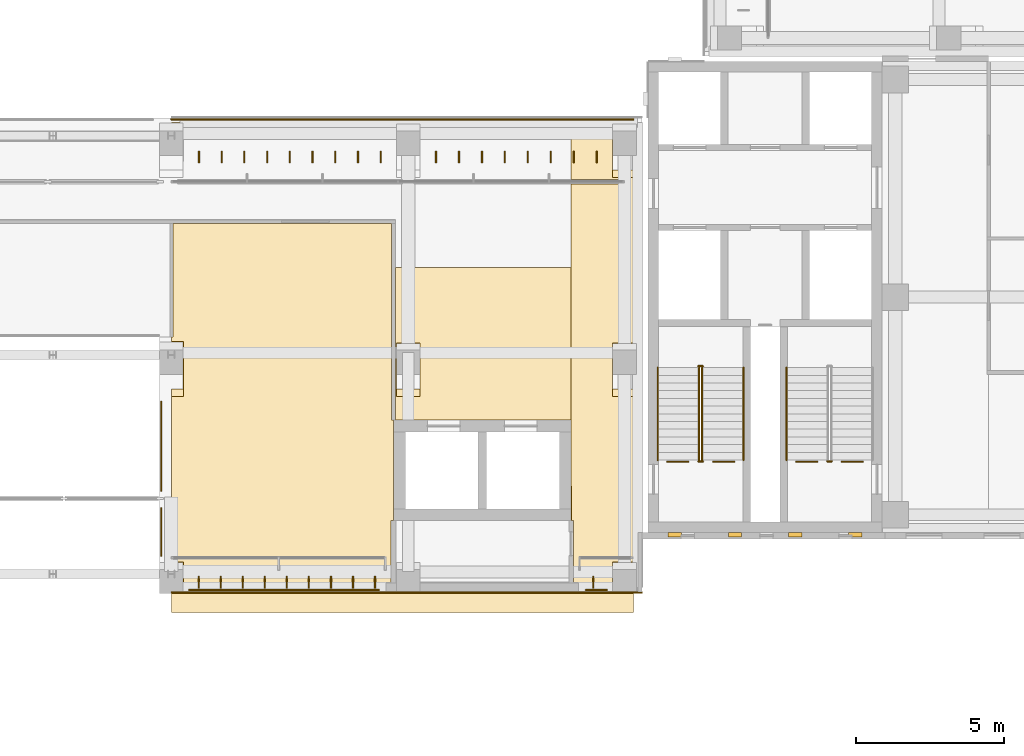
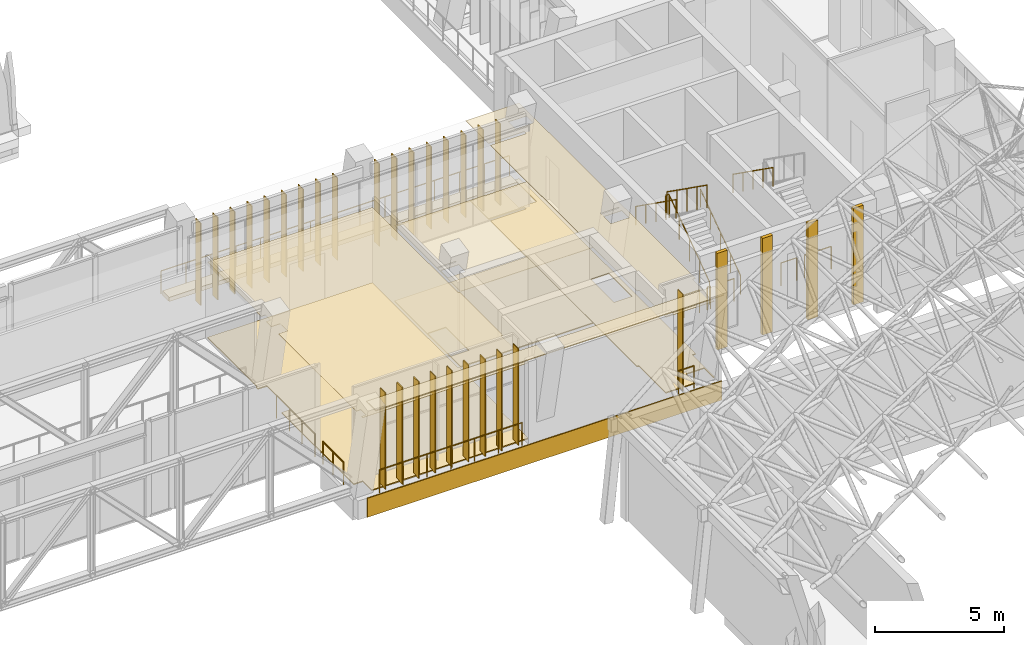
# One storey, part 125 of 141: 27 shading devices, 17 railings, 13 coverings.
"""IFC4 building model written with IfcOpenShell, lengths in metres."""

from ifc_helpers import new_model, si_unit, direction, frame, frame_2d, origin, origin_2d, place, context, subcontext, project, spatial, polyline, rectangle, circle, outline, extrude, material, layer, layer_set, type_object, element, save


model = new_model("IFC4")

# Units and contexts
model_context = context("Model", 3, precision=1e-05, world=origin(), true_north=direction((0.0, 1.0)))
body_context = subcontext(model_context, "Body", "Model", "MODEL_VIEW")
ifc_project = project(units=[si_unit("LENGTHUNIT", "METRE"), si_unit("AREAUNIT", "SQUARE_METRE"), si_unit("VOLUMEUNIT", "CUBIC_METRE"), si_unit("PLANEANGLEUNIT", "RADIAN"), si_unit("MASSUNIT", "GRAM", prefix="KILO")], contexts=[model_context])

# Site, building, storey
site_placement = place(None, origin())
site = spatial("IfcSite", under=ifc_project, at=site_placement, CompositionType="ELEMENT")
building_placement = place(site_placement, origin())
building = spatial("IfcBuilding", under=site, at=building_placement, Name="Lantern Court Media Centre", CompositionType="ELEMENT")
storey_placement = place(building_placement, frame((0.0, 0.0, 9.60009765625)))
storey = spatial("IfcBuildingStorey", under=building, at=storey_placement, Name="L02", CompositionType="ELEMENT", Elevation=9.60009765625)

# Covering
ifc_material_1 = material(Name="Carpet")
ifc_layer_1 = layer(ifc_material_1, 0.050048828125)
ifc_layer_set_1 = layer_set([ifc_layer_1], Name="Carpet")
covering_type_1 = type_object("IfcCoveringType", Name="Carpet floor finish", PredefinedType="FLOORING", material=ifc_layer_set_1)
covering_1_placement = place(storey_placement, origin())
element("IfcCovering", 1, at=covering_1_placement, inside=storey, type_object=covering_type_1, Name="Digital Media Lab floor finish", PredefinedType="FLOORING", context=body_context, shape_type="SweptSolid", body=[
    extrude(outline(polyline([(64.0, 54.594970703125), (64.054931640625, 54.60009765625), (64.054931640625, 58.4326171875), (71.4326171875, 58.4326171875), (71.4326171875, 51.800048828125), (71.4951171875, 51.794921875), (71.4951171875, 48.405029296875), (71.4150390625, 48.39990234375), (71.4150390625, 46.304931640625), (64.405029296875, 46.300048828125), (64.404296875, 47.00244140625), (64.0, 47.0048828125), (64.0, 52.594970703125), (64.40478515625, 52.59912109375), (64.405029296875, 54.44580078125), (64.0, 54.45068359375), (64.0, 54.594970703125)])), origin(), (0.0, 0.0, 1.0), 0.0498046875),
])

# Railings
ifc_material_2 = material(Name="Powder-coated steel", Category="steel")
railing_type_1 = type_object("IfcRailingType", Name="Floor edge guard 1100", PredefinedType="GUARDRAIL", material=ifc_material_2)
railing_1_placement = place(storey_placement, frame((87.35009765625, 50.390380859375, 0.0)))
element("IfcRailing", 2, at=railing_1_placement, inside=storey, type_object=railing_type_1, Name="L02 opening guard 67", PredefinedType="GUARDRAIL", context=body_context, shape_type="SweptSolid", body=[
    extrude(circle(Radius=0.02392578125, at=origin_2d()), frame((0.0, 0.0, 1.076171875), z_axis=(-1.0, 0.0, 0.0), x_axis=(0.0, -1.0, 0.0)), (0.0, 0.0, 1.0), 0.703857421875),
    extrude(circle(Radius=0.02099609375, at=origin_2d()), origin(), (0.0, 0.0, 1.0), 1.052001953125),
    extrude(circle(Radius=0.02099609375, at=origin_2d()), frame((-0.703857421875, 0.0, 0.0)), (0.0, 0.0, 1.0), 1.052001953125),
])
for number, where, name in (
    (3, (85.8037109375, 50.390380859375, 0.0), "L02 opening guard 68"),
    (4, (83.0, 50.390380859375, 0.0), "L02 opening guard 69"),
    (5, (81.45361328125, 50.390380859375, 0.0), "L02 opening guard 70"),
):
    element("IfcRailing", number, at=place(storey_placement, frame(where)), inside=storey, type_object=railing_type_1, Name=name, PredefinedType="GUARDRAIL", context=body_context, shape_type="SweptSolid", body=[
        extrude(circle(Radius=0.02392578125, at=origin_2d()), frame((0.0, 0.0, 1.076171875), z_axis=(-1.0, 0.0, 0.0), x_axis=(0.0, -1.0, 0.0)), (0.0, 0.0, 1.0), 0.70361328125),
        extrude(circle(Radius=0.02099609375, at=origin_2d()), origin(), (0.0, 0.0, 1.0), 1.052001953125),
        extrude(circle(Radius=0.02099609375, at=origin_2d()), frame((-0.70361328125, 0.0, 0.0)), (0.0, 0.0, 1.0), 1.052001953125),
    ])
railing_2_placement = place(storey_placement, frame((63.659912109375, 49.4130859375, 0.0)))
element("IfcRailing", 6, at=railing_2_placement, inside=storey, type_object=railing_type_1, Name="L02 edge guard 52", PredefinedType="GUARDRAIL", context=body_context, shape_type="SweptSolid", body=[
    extrude(circle(Radius=0.02392578125, at=origin_2d()), frame((0.0, 0.0, 1.076171875), z_axis=(0.0, 1.0, 0.0), x_axis=(-1.0, 0.0, 0.0)), (0.0, 0.0, 1.0), 3.0),
    extrude(circle(Radius=0.02099609375, at=origin_2d()), origin(), (0.0, 0.0, 1.0), 1.052001953125),
    extrude(circle(Radius=0.02099609375, at=origin_2d()), frame((0.0, 1.0, 0.0)), (0.0, 0.0, 1.0), 1.052001953125),
    extrude(circle(Radius=0.02099609375, at=origin_2d()), frame((0.0, 2.0, 0.0)), (0.0, 0.0, 1.0), 1.052001953125),
    extrude(circle(Radius=0.02099609375, at=origin_2d()), frame((0.0, 3.0, 0.0)), (0.0, 0.0, 1.0), 1.052001953125),
])
railing_3_placement = place(storey_placement, frame((63.659912109375, 47.214111328125, 0.0)))
element("IfcRailing", 7, at=railing_3_placement, inside=storey, type_object=railing_type_1, Name="L02 edge guard 53", PredefinedType="GUARDRAIL", context=body_context, shape_type="SweptSolid", body=[
    extrude(circle(Radius=0.02392578125, at=origin_2d()), frame((0.0, 0.0, 1.076171875), z_axis=(0.0, 1.0, 0.0), x_axis=(-1.0, 0.0, 0.0)), (0.0, 0.0, 1.0), 1.599853515625),
    extrude(circle(Radius=0.02099609375, at=origin_2d()), origin(), (0.0, 0.0, 1.0), 1.052001953125),
    extrude(circle(Radius=0.02099609375, at=origin_2d()), frame((0.0, 0.7998046875, 0.0)), (0.0, 0.0, 1.0), 1.052001953125),
    extrude(circle(Radius=0.02099609375, at=origin_2d()), frame((0.0, 1.599853515625, 0.0)), (0.0, 0.0, 1.0), 1.052001953125),
])
railing_4_placement = place(storey_placement, frame((71.00390625, 46.06005859375, 0.0)))
element("IfcRailing", 8, at=railing_4_placement, inside=storey, type_object=railing_type_1, Name="L02 edge guard 54", PredefinedType="GUARDRAIL", context=body_context, shape_type="SweptSolid", body=[
    extrude(circle(Radius=0.02392578125, at=origin_2d()), frame((0.0, 0.0, 1.076171875), z_axis=(-1.0, 0.0, 0.0), x_axis=(0.0, -1.0, 0.0)), (0.0, 0.0, 1.0), 6.39794921875),
    extrude(circle(Radius=0.02099609375, at=origin_2d()), origin(), (0.0, 0.0, 1.0), 1.052001953125),
    extrude(circle(Radius=0.02099609375, at=origin_2d()), frame((-1.06640625, 0.0, 0.0)), (0.0, 0.0, 1.0), 1.052001953125),
    extrude(circle(Radius=0.02099609375, at=origin_2d()), frame((-2.132568359375, 0.0, 0.0)), (0.0, 0.0, 1.0), 1.052001953125),
    extrude(circle(Radius=0.02099609375, at=origin_2d()), frame((-3.198974609375, 0.0, 0.0)), (0.0, 0.0, 1.0), 1.052001953125),
    extrude(circle(Radius=0.02099609375, at=origin_2d()), frame((-4.265380859375, 0.0, 0.0)), (0.0, 0.0, 1.0), 1.052001953125),
    extrude(circle(Radius=0.02099609375, at=origin_2d()), frame((-5.33154296875, 0.0, 0.0)), (0.0, 0.0, 1.0), 1.052001953125),
    extrude(circle(Radius=0.02099609375, at=origin_2d()), frame((-6.39794921875, 0.0, 0.0)), (0.0, 0.0, 1.0), 1.052001953125),
])
railing_5_placement = place(storey_placement, frame((78.701904296875, 46.06005859375, 0.0)))
element("IfcRailing", 9, at=railing_5_placement, inside=storey, type_object=railing_type_1, Name="L02 edge guard 58", PredefinedType="GUARDRAIL", context=body_context, shape_type="SweptSolid", body=[
    extrude(circle(Radius=0.02392578125, at=origin_2d()), frame((0.0, 0.0, 1.076171875), z_axis=(-1.0, 0.0, 0.0), x_axis=(0.0, -1.0, 0.0)), (0.0, 0.0, 1.0), 0.699951171875),
    extrude(circle(Radius=0.02099609375, at=origin_2d()), origin(), (0.0, 0.0, 1.0), 1.052001953125),
    extrude(circle(Radius=0.02099609375, at=origin_2d()), frame((-0.699951171875, 0.0, 0.0)), (0.0, 0.0, 1.0), 1.052001953125),
])

# Covering
ifc_material_3 = material(Name="White glass-fibre reinforced cement cladding", Category="concrete")
ifc_layer_2 = layer(ifc_material_3, 0.050048828125)
ifc_layer_set_2 = layer_set([ifc_layer_2], Name="White glass-fibre reinforced cement cladding")
covering_type_2 = type_object("IfcCoveringType", Name="Floor-edge band 50", PredefinedType="CLADDING", material=ifc_layer_set_2)
covering_2_placement = place(storey_placement, frame((64.0, 45.97509765625, -0.900146484375), z_axis=(0.0, 0.0, 1.0), x_axis=(1.0, 0.0, 0.0)))
element("IfcCovering", 10, at=covering_2_placement, inside=storey, type_object=covering_type_2, Name="Floor-edge band S outer L02", PredefinedType="CLADDING", context=body_context, shape_type="SweptSolid", body=[
    extrude(rectangle(XDim=15.89990234375, YDim=0.050048828125, at=frame_2d((7.949951171875, 0.0))), origin(), (0.0, 0.0, 1.0), 0.900146484375),
])

# Railing
ifc_material_4 = material(Name="Painted mild steel balustrade", Category="steel")
railing_type_2 = type_object("IfcRailingType", Name="Guard 1100 steel balustrade", PredefinedType="GUARDRAIL", material=ifc_material_4)
railing_6_placement = place(storey_placement, frame((64.0, 61.949951171875, 0.0)))
element("IfcRailing", 11, at=railing_6_placement, inside=storey, type_object=railing_type_2, Name="Ledge guard S L02", PredefinedType="GUARDRAIL", context=body_context, shape_type="SweptSolid", body=[
    extrude(circle(Radius=0.02392578125, at=origin_2d()), frame((0.0, 0.0, 1.076171875), z_axis=(1.0, 0.0, 0.0), x_axis=(0.0, 1.0, 0.0)), (0.0, 0.0, 1.0), 15.60009765625),
    extrude(circle(Radius=0.02099609375, at=origin_2d()), origin(), (0.0, 0.0, 1.0), 1.052001953125),
    extrude(circle(Radius=0.02099609375, at=origin_2d()), frame((1.1142578125, 0.0, 0.0)), (0.0, 0.0, 1.0), 1.052001953125),
    extrude(circle(Radius=0.02099609375, at=origin_2d()), frame((2.228515625, 0.0, 0.0)), (0.0, 0.0, 1.0), 1.052001953125),
    extrude(circle(Radius=0.02099609375, at=origin_2d()), frame((3.3427734375, 0.0, 0.0)), (0.0, 0.0, 1.0), 1.052001953125),
    extrude(circle(Radius=0.02099609375, at=origin_2d()), frame((4.457275390625, 0.0, 0.0)), (0.0, 0.0, 1.0), 1.052001953125),
    extrude(circle(Radius=0.02099609375, at=origin_2d()), frame((5.571533203125, 0.0, 0.0)), (0.0, 0.0, 1.0), 1.052001953125),
    extrude(circle(Radius=0.02099609375, at=origin_2d()), frame((6.685791015625, 0.0, 0.0)), (0.0, 0.0, 1.0), 1.052001953125),
    extrude(circle(Radius=0.02099609375, at=origin_2d()), frame((7.800048828125, 0.0, 0.0)), (0.0, 0.0, 1.0), 1.052001953125),
    extrude(circle(Radius=0.02099609375, at=origin_2d()), frame((8.914306640625, 0.0, 0.0)), (0.0, 0.0, 1.0), 1.052001953125),
    extrude(circle(Radius=0.02099609375, at=origin_2d()), frame((10.028564453125, 0.0, 0.0)), (0.0, 0.0, 1.0), 1.052001953125),
    extrude(circle(Radius=0.02099609375, at=origin_2d()), frame((11.142822265625, 0.0, 0.0)), (0.0, 0.0, 1.0), 1.052001953125),
    extrude(circle(Radius=0.02099609375, at=origin_2d()), frame((12.25732421875, 0.0, 0.0)), (0.0, 0.0, 1.0), 1.052001953125),
    extrude(circle(Radius=0.02099609375, at=origin_2d()), frame((13.37158203125, 0.0, 0.0)), (0.0, 0.0, 1.0), 1.052001953125),
    extrude(circle(Radius=0.02099609375, at=origin_2d()), frame((14.48583984375, 0.0, 0.0)), (0.0, 0.0, 1.0), 1.052001953125),
    extrude(circle(Radius=0.02099609375, at=origin_2d()), frame((15.60009765625, 0.0, 0.0)), (0.0, 0.0, 1.0), 1.052001953125),
])

# Coverings
ifc_material_5 = material(Name="Honed limestone cladding", Category="masonry")
ifc_layer_3 = layer(ifc_material_5, 0.14990234375)
ifc_layer_set_3 = layer_set([ifc_layer_3], Name="Honed limestone cladding")
covering_type_3 = type_object("IfcCoveringType", Name="Limestone pilaster cladding 150", PredefinedType="CLADDING", material=ifc_layer_set_3)
covering_3_placement = place(storey_placement, frame((80.77490234375, 47.925048828125, 0.0), z_axis=(0.0, 0.0, 1.0), x_axis=(1.0, 0.0, 0.0)))
element("IfcCovering", 12, at=covering_3_placement, inside=storey, type_object=covering_type_3, Name="Limestone pilaster rib", PredefinedType="CLADDING", context=body_context, shape_type="SweptSolid", body=[
    extrude(rectangle(XDim=0.4501953125, YDim=0.14990234375, at=frame_2d((0.22509765625, 0.0))), origin(), (0.0, 0.0, 1.0), 4.579833984375),
])
covering_4_placement = place(storey_placement, frame((82.808349609375, 47.925048828125, 0.0), z_axis=(0.0, 0.0, 1.0), x_axis=(1.0, 0.0, 0.0)))
element("IfcCovering", 13, at=covering_4_placement, inside=storey, type_object=covering_type_3, Name="Limestone pilaster rib", PredefinedType="CLADDING", context=body_context, shape_type="SweptSolid", body=[
    extrude(rectangle(XDim=0.449951171875, YDim=0.14990234375, at=frame_2d((0.22509765625, 0.0))), origin(), (0.0, 0.0, 1.0), 4.579833984375),
])
covering_5_placement = place(storey_placement, frame((84.841552734375, 47.925048828125, 0.0), z_axis=(0.0, 0.0, 1.0), x_axis=(1.0, 0.0, 0.0)))
element("IfcCovering", 14, at=covering_5_placement, inside=storey, type_object=covering_type_3, Name="Limestone pilaster rib", PredefinedType="CLADDING", context=body_context, shape_type="SweptSolid", body=[
    extrude(rectangle(XDim=0.4501953125, YDim=0.14990234375, at=frame_2d((0.22509765625, 0.0))), origin(), (0.0, 0.0, 1.0), 4.579833984375),
])
covering_6_placement = place(storey_placement, frame((86.875, 47.925048828125, 0.0), z_axis=(0.0, 0.0, 1.0), x_axis=(1.0, 0.0, 0.0)))
element("IfcCovering", 15, at=covering_6_placement, inside=storey, type_object=covering_type_3, Name="Limestone pilaster rib", PredefinedType="CLADDING", context=body_context, shape_type="SweptSolid", body=[
    extrude(rectangle(XDim=0.449951171875, YDim=0.14990234375, at=frame_2d((0.22509765625, 0.0))), origin(), (0.0, 0.0, 1.0), 4.579833984375),
])
ifc_material_6 = material(Name="Planting substrate")
ifc_layer_4 = layer(ifc_material_6, 0.199951171875)
ifc_layer_set_4 = layer_set([ifc_layer_4], Name="Planting substrate")
covering_type_4 = type_object("IfcCoveringType", Name="Planted ledge build-up 200", PredefinedType="ROOFING", material=ifc_layer_set_4)
covering_7_placement = place(storey_placement, origin())
element("IfcCovering", 16, at=covering_7_placement, inside=storey, type_object=covering_type_4, Name="Planted ledge S L02", PredefinedType="ROOFING", context=body_context, shape_type="SweptSolid", body=[
    extrude(outline(polyline([(64.0, 61.85009765625), (79.60009765625, 61.85009765625), (79.60009765625, 61.320068359375), (64.0, 61.320068359375), (64.0, 61.85009765625)])), origin(), (0.0, 0.0, 1.0), 0.199951171875),
])
ifc_material_7 = material(Name="White fibre cement soffit board")
ifc_layer_5 = layer(ifc_material_7, 0.0400390625)
ifc_layer_set_5 = layer_set([ifc_layer_5], Name="White fibre cement soffit board")
covering_type_5 = type_object("IfcCoveringType", Name="Soffit lining 40", PredefinedType="CLADDING", material=ifc_layer_set_5)
covering_8_placement = place(storey_placement, frame((64.0, 45.64990234375, 4.539794921875), z_axis=(0.0, 0.0, 1.0), x_axis=(1.0, 0.0, 0.0)))
element("IfcCovering", 17, at=covering_8_placement, inside=storey, type_object=covering_type_5, Name="Soffit lining S L02", PredefinedType="CLADDING", context=body_context, shape_type="SweptSolid", body=[
    extrude(rectangle(XDim=15.60009765625, YDim=0.699951171875, at=frame_2d((7.800048828125, 0.0))), origin(), (0.0, 0.0, 1.0), 0.0400390625),
])

# Railings
railing_type_3 = type_object("IfcRailingType", Name="Stair guard 1100", PredefinedType="GUARDRAIL", material=ifc_material_2)
railing_7_placement = place(storey_placement, frame((86.300048828125, 50.39990234375, 0.0)))
element("IfcRailing", 18, at=railing_7_placement, inside=storey, type_object=railing_type_3, Name="L02 ST-SEA stair guard 4", PredefinedType="GUARDRAIL", context=body_context, shape_type="SweptSolid", body=[
    extrude(circle(Radius=0.02392578125, at=origin_2d()), frame((0.0, 0.0, 1.076171875), z_axis=(-1.0, 0.0, 0.0), x_axis=(0.0, -1.0, 0.0)), (0.0, 0.0, 1.0), 0.150146484375),
    extrude(circle(Radius=0.02099609375, at=origin_2d()), origin(), (0.0, 0.0, 1.0), 1.052001953125),
    extrude(circle(Radius=0.02099609375, at=origin_2d()), frame((-0.150146484375, 0.0, 0.0)), (0.0, 0.0, 1.0), 1.052001953125),
])
railing_8_placement = place(storey_placement, frame((81.926025390625, 50.449951171875, 0.1845703125)))
element("IfcRailing", 19, at=railing_8_placement, inside=storey, type_object=railing_type_3, Name="L02 ST-SEB stair guard 1", PredefinedType="GUARDRAIL", context=body_context, shape_type="SweptSolid", body=[
    extrude(circle(Radius=0.02392578125, at=origin_2d()), frame((0.0, 0.0, 1.076171875), z_axis=(0.0, 0.815376961211, 0.578930402662), x_axis=(-1.0, 0.0, 0.0)), (0.0, 0.0, 1.0), 3.82666015625),
    extrude(circle(Radius=0.02099609375, at=origin_2d()), origin(), (0.0, 0.0, 1.0), 1.052001953125),
    extrude(circle(Radius=0.02099609375, at=origin_2d()), frame((0.0, 0.780029296875, 0.5537109375)), (0.0, 0.0, 1.0), 1.052001953125),
    extrude(circle(Radius=0.02099609375, at=origin_2d()), frame((0.0, 1.56005859375, 1.107666015625)), (0.0, 0.0, 1.0), 1.052001953125),
    extrude(circle(Radius=0.02099609375, at=origin_2d()), frame((0.0, 2.340087890625, 1.66162109375)), (0.0, 0.0, 1.0), 1.052001953125),
    extrude(circle(Radius=0.02099609375, at=origin_2d()), frame((0.0, 3.1201171875, 2.21533203125)), (0.0, 0.0, 1.0), 1.052001953125),
])
railing_9_placement = place(storey_placement, frame((81.949951171875, 53.6201171875, 2.39990234375)))
element("IfcRailing", 20, at=railing_9_placement, inside=storey, type_object=railing_type_3, Name="L02 ST-SEB stair guard 2", PredefinedType="GUARDRAIL", context=body_context, shape_type="SweptSolid", body=[
    extrude(circle(Radius=0.02392578125, at=origin_2d()), frame((0.0, 0.0, 1.076171875), z_axis=(-1.0, 0.0, 0.0), x_axis=(0.0, -1.0, 0.0)), (0.0, 0.0, 1.0), 0.14990234375),
    extrude(circle(Radius=0.02099609375, at=origin_2d()), origin(), (0.0, 0.0, 1.0), 1.052001953125),
    extrude(circle(Radius=0.02099609375, at=origin_2d()), frame((-0.14990234375, 0.0, 0.0)), (0.0, 0.0, 1.0), 1.052001953125),
])
railing_10_placement = place(storey_placement, frame((81.823974609375, 53.570068359375, 2.58447265625)))
element("IfcRailing", 21, at=railing_10_placement, inside=storey, type_object=railing_type_3, Name="L02 ST-SEB stair guard 3", PredefinedType="GUARDRAIL", context=body_context, shape_type="SweptSolid", body=[
    extrude(circle(Radius=0.02392578125, at=origin_2d()), frame((0.0, 0.0, 1.076171875), z_axis=(0.0, -0.815376961211, 0.578930402662), x_axis=(1.0, 0.0, 0.0)), (0.0, 0.0, 1.0), 3.82666015625),
    extrude(circle(Radius=0.02099609375, at=origin_2d()), origin(), (0.0, 0.0, 1.0), 1.052001953125),
    extrude(circle(Radius=0.02099609375, at=origin_2d()), frame((0.0, -0.780029296875, 0.5537109375)), (0.0, 0.0, 1.0), 1.052001953125),
    extrude(circle(Radius=0.02099609375, at=origin_2d()), frame((0.0, -1.56005859375, 1.107666015625)), (0.0, 0.0, 1.0), 1.052001953125),
    extrude(circle(Radius=0.02099609375, at=origin_2d()), frame((0.0, -2.340087890625, 1.66162109375)), (0.0, 0.0, 1.0), 1.052001953125),
    extrude(circle(Radius=0.02099609375, at=origin_2d()), frame((0.0, -3.1201171875, 2.21533203125)), (0.0, 0.0, 1.0), 1.052001953125),
])
railing_11_placement = place(storey_placement, frame((81.949951171875, 50.39990234375, 0.0)))
element("IfcRailing", 22, at=railing_11_placement, inside=storey, type_object=railing_type_3, Name="L02 ST-SEB stair guard 4", PredefinedType="GUARDRAIL", context=body_context, shape_type="SweptSolid", body=[
    extrude(circle(Radius=0.02392578125, at=origin_2d()), frame((0.0, 0.0, 1.076171875), z_axis=(-1.0, 0.0, 0.0), x_axis=(0.0, -1.0, 0.0)), (0.0, 0.0, 1.0), 0.14990234375),
    extrude(circle(Radius=0.02099609375, at=origin_2d()), origin(), (0.0, 0.0, 1.0), 1.052001953125),
    extrude(circle(Radius=0.02099609375, at=origin_2d()), frame((-0.14990234375, 0.0, 0.0)), (0.0, 0.0, 1.0), 1.052001953125),
])
railing_type_4 = type_object("IfcRailingType", Name="Stair handrail 900", PredefinedType="HANDRAIL", material=ifc_material_2)
railing_12_placement = place(storey_placement, frame((84.77587890625, 53.570068359375, 2.58447265625)))
element("IfcRailing", 23, at=railing_12_placement, inside=storey, type_object=railing_type_4, Name="L02 ST-SEA stair handrail 2", PredefinedType="HANDRAIL", context=body_context, shape_type="SweptSolid", body=[
    extrude(circle(Radius=0.02392578125, at=origin_2d()), frame((0.0, 0.0, 0.8759765625), z_axis=(0.0, -0.815376961211, 0.578930402662), x_axis=(1.0, 0.0, 0.0)), (0.0, 0.0, 1.0), 3.82666015625),
    extrude(circle(Radius=0.02099609375, at=origin_2d()), origin(), (0.0, 0.0, 1.0), 0.851806640625),
    extrude(circle(Radius=0.02099609375, at=origin_2d()), frame((0.0, -0.780029296875, 0.5537109375)), (0.0, 0.0, 1.0), 0.851806640625),
    extrude(circle(Radius=0.02099609375, at=origin_2d()), frame((0.0, -1.56005859375, 1.107666015625)), (0.0, 0.0, 1.0), 0.851806640625),
    extrude(circle(Radius=0.02099609375, at=origin_2d()), frame((0.0, -2.340087890625, 1.66162109375)), (0.0, 0.0, 1.0), 0.851806640625),
    extrude(circle(Radius=0.02099609375, at=origin_2d()), frame((0.0, -3.1201171875, 2.21533203125)), (0.0, 0.0, 1.0), 0.851806640625),
])
railing_13_placement = place(storey_placement, frame((83.323974609375, 50.449951171875, 0.1845703125)))
element("IfcRailing", 24, at=railing_13_placement, inside=storey, type_object=railing_type_4, Name="L02 ST-SEB stair handrail 1", PredefinedType="HANDRAIL", context=body_context, shape_type="SweptSolid", body=[
    extrude(circle(Radius=0.02392578125, at=origin_2d()), frame((0.0, 0.0, 0.8759765625), z_axis=(0.0, 0.815376961211, 0.578930402662), x_axis=(-1.0, 0.0, 0.0)), (0.0, 0.0, 1.0), 3.82666015625),
    extrude(circle(Radius=0.02099609375, at=origin_2d()), origin(), (0.0, 0.0, 1.0), 0.851806640625),
    extrude(circle(Radius=0.02099609375, at=origin_2d()), frame((0.0, 0.780029296875, 0.5537109375)), (0.0, 0.0, 1.0), 0.851806640625),
    extrude(circle(Radius=0.02099609375, at=origin_2d()), frame((0.0, 1.56005859375, 1.107666015625)), (0.0, 0.0, 1.0), 0.851806640625),
    extrude(circle(Radius=0.02099609375, at=origin_2d()), frame((0.0, 2.340087890625, 1.66162109375)), (0.0, 0.0, 1.0), 0.851806640625),
    extrude(circle(Radius=0.02099609375, at=origin_2d()), frame((0.0, 3.1201171875, 2.21533203125)), (0.0, 0.0, 1.0), 0.851806640625),
])
railing_14_placement = place(storey_placement, frame((80.426025390625, 53.570068359375, 2.58447265625)))
element("IfcRailing", 25, at=railing_14_placement, inside=storey, type_object=railing_type_4, Name="L02 ST-SEB stair handrail 2", PredefinedType="HANDRAIL", context=body_context, shape_type="SweptSolid", body=[
    extrude(circle(Radius=0.02392578125, at=origin_2d()), frame((0.0, 0.0, 0.8759765625), z_axis=(0.0, -0.815376961211, 0.578930402662), x_axis=(1.0, 0.0, 0.0)), (0.0, 0.0, 1.0), 3.82666015625),
    extrude(circle(Radius=0.02099609375, at=origin_2d()), origin(), (0.0, 0.0, 1.0), 0.851806640625),
    extrude(circle(Radius=0.02099609375, at=origin_2d()), frame((0.0, -0.780029296875, 0.5537109375)), (0.0, 0.0, 1.0), 0.851806640625),
    extrude(circle(Radius=0.02099609375, at=origin_2d()), frame((0.0, -1.56005859375, 1.107666015625)), (0.0, 0.0, 1.0), 0.851806640625),
    extrude(circle(Radius=0.02099609375, at=origin_2d()), frame((0.0, -2.340087890625, 1.66162109375)), (0.0, 0.0, 1.0), 0.851806640625),
    extrude(circle(Radius=0.02099609375, at=origin_2d()), frame((0.0, -3.1201171875, 2.21533203125)), (0.0, 0.0, 1.0), 0.851806640625),
])

# Coverings
ifc_material_8 = material(Name="Mineral fibre ceiling tile")
ifc_layer_6 = layer(ifc_material_8, 0.02001953125)
ifc_layer_set_6 = layer_set([ifc_layer_6], Name="Mineral fibre ceiling tile")
covering_type_6 = type_object("IfcCoveringType", Name="Suspended ceiling tile", PredefinedType="CEILING", material=ifc_layer_set_6)
covering_9_placement = place(storey_placement, frame((0.0, 0.0, 3.599853515625)))
element("IfcCovering", 26, at=covering_9_placement, inside=storey, type_object=covering_type_6, Name="End Lobby ceiling", PredefinedType="CEILING", context=body_context, shape_type="SweptSolid", body=[
    extrude(outline(polyline([(77.5, 61.699951171875), (79.89990234375, 61.699951171875), (79.89990234375, 48.00048828125), (79.759521484375, 48.0), (79.759521484375, 46.300048828125), (77.58056640625, 46.300537109375), (77.58056640625, 48.39990234375), (77.50048828125, 48.400390625), (77.5, 59.7744140625), (79.10009765625, 59.7744140625), (79.1005859375, 59.925048828125), (77.5, 59.925537109375), (77.5, 61.699951171875)]), holes=[polyline([(79.699951171875, 52.847412109375), (79.7001953125, 53.400390625), (78.899658203125, 53.400390625), (78.899658203125, 52.847412109375), (79.699951171875, 52.847412109375)]), polyline([(79.699951171875, 53.599609375), (79.699951171875, 53.6484375), (78.8994140625, 53.64794921875), (78.89990234375, 53.599609375), (79.699951171875, 53.599609375)]), polyline([(79.699951171875, 60.247314453125), (79.7001953125, 60.800537109375), (78.899658203125, 60.80029296875), (78.899658203125, 60.24755859375), (79.699951171875, 60.247314453125)]), polyline([(79.699951171875, 60.99951171875), (79.699951171875, 61.04833984375), (78.8994140625, 61.0478515625), (78.89990234375, 60.99951171875), (79.699951171875, 60.99951171875)])]), origin(), (0.0, 0.0, 1.0), 0.02001953125),
])
covering_10_placement = place(storey_placement, frame((0.0, 0.0, 3.599853515625)))
element("IfcCovering", 27, at=covering_10_placement, inside=storey, type_object=covering_type_6, Name="Lift Lobby ceiling", PredefinedType="CEILING", context=body_context, shape_type="SweptSolid", body=[
    extrude(outline(polyline([(77.5, 56.949951171875), (77.5, 51.800537109375), (71.56298828125, 51.800537109375), (71.56298828125, 56.949951171875), (77.5, 56.949951171875)]), holes=[polyline([(72.39990234375, 53.599609375), (72.400146484375, 53.6484375), (71.599609375, 53.64794921875), (71.599853515625, 53.599609375), (72.39990234375, 53.599609375)]), polyline([(72.39990234375, 52.847412109375), (72.400390625, 53.400390625), (71.599609375, 53.400390625), (71.599609375, 52.847412109375), (72.39990234375, 52.847412109375)])]), origin(), (0.0, 0.0, 1.0), 0.02001953125),
])
covering_11_placement = place(storey_placement, frame((0.0, 0.0, 3.599853515625)))
element("IfcCovering", 28, at=covering_11_placement, inside=storey, type_object=covering_type_6, Name="Digital Media Lab ceiling", PredefinedType="CEILING", context=body_context, shape_type="SweptSolid", body=[
    extrude(outline(polyline([(64.0, 53.800048828125), (64.199951171875, 53.800048828125), (64.199951171875, 54.199951171875), (64.0, 54.199951171875), (64.0, 54.599609375), (64.050537109375, 54.60009765625), (64.050537109375, 58.43701171875), (71.43701171875, 58.43701171875), (71.43701171875, 51.800048828125), (71.49951171875, 51.799560546875), (71.49951171875, 48.400390625), (71.41943359375, 48.39990234375), (71.41943359375, 46.300537109375), (64.0, 46.300048828125), (64.0, 46.39990234375), (64.199951171875, 46.39990234375), (64.199951171875, 46.800048828125), (64.0, 46.800048828125), (64.0, 52.847412109375), (64.400390625, 52.847900390625), (64.400390625, 53.400390625), (64.0, 53.400390625), (64.0, 53.645263671875), (64.400390625, 53.648193359375), (64.0, 53.6484375), (64.0, 53.800048828125)])), origin(), (0.0, 0.0, 1.0), 0.02001953125),
])
ifc_material_9 = material(Name="Terrazzo")
ifc_layer_7 = layer(ifc_material_9, 0.050048828125)
ifc_layer_set_7 = layer_set([ifc_layer_7], Name="Terrazzo")
covering_type_7 = type_object("IfcCoveringType", Name="Terrazzo floor finish", PredefinedType="FLOORING", material=ifc_layer_set_7)
covering_12_placement = place(storey_placement, origin())
element("IfcCovering", 29, at=covering_12_placement, inside=storey, type_object=covering_type_7, Name="End Lobby floor finish", PredefinedType="FLOORING", context=body_context, shape_type="SweptSolid", body=[
    extrude(outline(polyline([(79.89990234375, 61.699951171875), (79.89990234375, 48.0048828125), (79.755126953125, 48.00048828125), (79.7548828125, 46.300048828125), (79.705078125, 46.300048828125), (79.699951171875, 47.0048828125), (78.896728515625, 47.00390625), (78.89501953125, 46.300048828125), (77.5849609375, 46.304931640625), (77.5849609375, 48.39990234375), (77.5048828125, 48.405029296875), (77.5, 59.77001953125), (79.1005859375, 59.77001953125), (79.10498046875, 59.925048828125), (77.5, 59.929931640625), (77.5, 61.699951171875), (78.89501953125, 61.699951171875), (78.89990234375, 59.9951171875), (79.704345703125, 59.99755859375), (79.705078125, 61.699951171875), (79.89990234375, 61.699951171875)]), holes=[polyline([(78.89501953125, 52.60009765625), (79.70458984375, 52.59814453125), (79.701904296875, 54.404541015625), (78.895263671875, 54.40185546875), (78.89501953125, 52.60009765625)])]), origin(), (0.0, 0.0, 1.0), 0.0498046875),
])
covering_13_placement = place(storey_placement, origin())
element("IfcCovering", 30, at=covering_13_placement, inside=storey, type_object=covering_type_7, Name="Lift Lobby floor finish", PredefinedType="FLOORING", context=body_context, shape_type="SweptSolid", body=[
    extrude(outline(polyline([(77.5, 56.949951171875), (77.5, 51.804931640625), (71.5673828125, 51.804931640625), (71.5673828125, 56.949951171875), (77.5, 56.949951171875)]), holes=[polyline([(71.594970703125, 52.60009765625), (72.404541015625, 52.59814453125), (72.40185546875, 54.404541015625), (71.595458984375, 54.40185546875), (71.594970703125, 52.60009765625)])]), origin(), (0.0, 0.0, 1.0), 0.0498046875),
])

# Shading devices
ifc_material_10 = material(Name="Bronze anodised aluminium louvre", Category="aluminium")
ifc_layer_8 = layer(ifc_material_10, 0.0400390625)
ifc_layer_set_8 = layer_set([ifc_layer_8], Name="Bronze anodised aluminium louvre")
shading_device_type_1 = type_object("IfcShadingDeviceType", Name="Vertical louvre 40x400 full storey", PredefinedType="USERDEFINED", material=ifc_layer_set_8)
for number, where, z_axis, x_axis, name in (
    (31, (64.922119140625, 46.320068359375, -0.000244140625), (0.0, 0.0, 1.0), (1.0, 0.0, 0.0), "Vertical louvre S outer L02"),
    (32, (65.666748046875, 46.320068359375, -0.000244140625), (0.0, 0.0, 1.0), (1.0, 0.0, 0.0), "Vertical louvre S outer L02"),
    (33, (66.4111328125, 46.320068359375, -0.000244140625), (0.0, 0.0, 1.0), (1.0, 0.0, 0.0), "Vertical louvre S outer L02"),
    (34, (67.155517578125, 46.320068359375, -0.000244140625), (0.0, 0.0, 1.0), (1.0, 0.0, 0.0), "Vertical louvre S outer L02"),
    (35, (67.89990234375, 46.320068359375, -0.000244140625), (0.0, 0.0, 1.0), (1.0, 0.0, 0.0), "Vertical louvre S outer L02"),
    (36, (68.64453125, 46.320068359375, -0.000244140625), (0.0, 0.0, 1.0), (1.0, 0.0, 0.0), "Vertical louvre S outer L02"),
    (37, (69.388916015625, 46.320068359375, -0.000244140625), (0.0, 0.0, 1.0), (1.0, 0.0, 0.0), "Vertical louvre S outer L02"),
    (38, (70.13330078125, 46.320068359375, -0.000244140625), (0.0, 0.0, 1.0), (1.0, 0.0, 0.0), "Vertical louvre S outer L02"),
    (39, (70.877685546875, 46.320068359375, -0.000244140625), (0.0, 0.0, 1.0), (1.0, 0.0, 0.0), "Vertical louvre S outer L02"),
    (40, (78.25, 46.320068359375, -0.000244140625), (0.0, 0.0, 1.0), (1.0, 0.0, 0.0), "Vertical louvre S outer L02"),
):
    element("IfcShadingDevice", number, at=place(storey_placement, frame(where, z_axis=z_axis, x_axis=x_axis)), inside=storey, type_object=shading_device_type_1, Name=name, ObjectType="VERTICAL LOUVRE", PredefinedType="USERDEFINED", context=body_context, shape_type="SweptSolid", body=[
        extrude(rectangle(XDim=0.0400390625, YDim=0.39990234375, at=origin_2d()), origin(), (0.0, 0.0, 1.0), 4.580078125),
    ])
ifc_layer_9 = layer(ifc_material_10, 0.0400390625)
ifc_layer_set_9 = layer_set([ifc_layer_9], Name="Bronze anodised aluminium louvre")
shading_device_type_2 = type_object("IfcShadingDeviceType", Name="Vertical louvre 40x400 under beam", PredefinedType="USERDEFINED", material=ifc_layer_set_9)
for number, where, z_axis, x_axis, name in (
    (41, (64.933349609375, 60.679931640625, 0.0), (0.0, 0.0, 1.0), (1.0, 0.0, 0.0), "Vertical louvre S inner L02"),
    (42, (65.699951171875, 60.679931640625, 0.0), (0.0, 0.0, 1.0), (1.0, 0.0, 0.0), "Vertical louvre S inner L02"),
    (43, (66.466552734375, 60.679931640625, 0.0), (0.0, 0.0, 1.0), (1.0, 0.0, 0.0), "Vertical louvre S inner L02"),
    (44, (67.2333984375, 60.679931640625, 0.0), (0.0, 0.0, 1.0), (1.0, 0.0, 0.0), "Vertical louvre S inner L02"),
    (45, (68.0, 60.679931640625, 0.0), (0.0, 0.0, 1.0), (1.0, 0.0, 0.0), "Vertical louvre S inner L02"),
    (46, (68.7666015625, 60.679931640625, 0.0), (0.0, 0.0, 1.0), (1.0, 0.0, 0.0), "Vertical louvre S inner L02"),
    (47, (69.533447265625, 60.679931640625, 0.0), (0.0, 0.0, 1.0), (1.0, 0.0, 0.0), "Vertical louvre S inner L02"),
    (48, (70.300048828125, 60.679931640625, 0.0), (0.0, 0.0, 1.0), (1.0, 0.0, 0.0), "Vertical louvre S inner L02"),
    (49, (71.066650390625, 60.679931640625, 0.0), (0.0, 0.0, 1.0), (1.0, 0.0, 0.0), "Vertical louvre S inner L02"),
    (50, (72.9375, 60.679931640625, 0.0), (0.0, 0.0, 1.0), (1.0, 0.0, 0.0), "Vertical louvre S inner L02"),
    (51, (73.71240234375, 60.679931640625, 0.0), (0.0, 0.0, 1.0), (1.0, 0.0, 0.0), "Vertical louvre S inner L02"),
    (52, (74.487548828125, 60.679931640625, 0.0), (0.0, 0.0, 1.0), (1.0, 0.0, 0.0), "Vertical louvre S inner L02"),
    (53, (75.262451171875, 60.679931640625, 0.0), (0.0, 0.0, 1.0), (1.0, 0.0, 0.0), "Vertical louvre S inner L02"),
    (54, (76.03759765625, 60.679931640625, 0.0), (0.0, 0.0, 1.0), (1.0, 0.0, 0.0), "Vertical louvre S inner L02"),
    (55, (76.8125, 60.679931640625, 0.0), (0.0, 0.0, 1.0), (1.0, 0.0, 0.0), "Vertical louvre S inner L02"),
    (56, (77.58740234375, 60.679931640625, 0.0), (0.0, 0.0, 1.0), (1.0, 0.0, 0.0), "Vertical louvre S inner L02"),
    (57, (78.362548828125, 60.679931640625, 0.0), (0.0, 0.0, 1.0), (1.0, 0.0, 0.0), "Vertical louvre S inner L02"),
):
    element("IfcShadingDevice", number, at=place(storey_placement, frame(where, z_axis=z_axis, x_axis=x_axis)), inside=storey, type_object=shading_device_type_2, Name=name, ObjectType="VERTICAL LOUVRE", PredefinedType="USERDEFINED", context=body_context, shape_type="SweptSolid", body=[
        extrude(rectangle(XDim=0.0400390625, YDim=0.39990234375, at=origin_2d()), origin(), (0.0, 0.0, 1.0), 3.89990234375),
    ])

save(model, "model.ifc")
